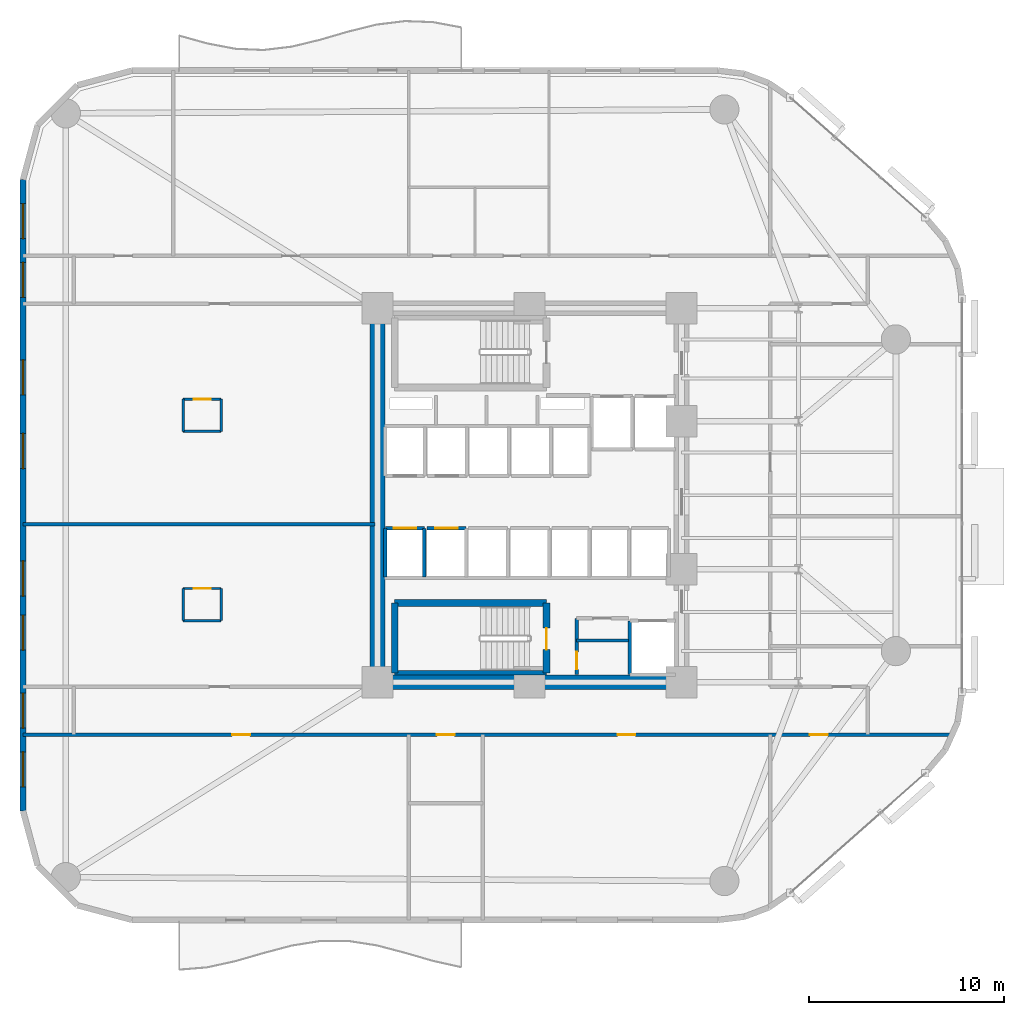
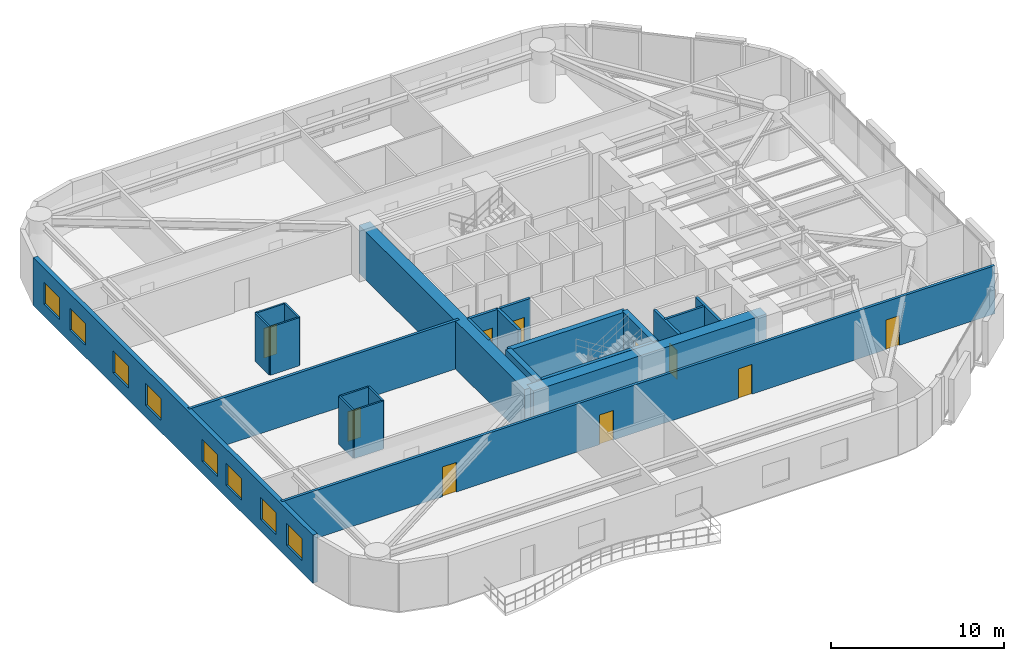
# One storey, part 10 of 16: 24 walls, 10 doors, 8 windows, 18 openings.
"""IFC4 building model written with IfcOpenShell, lengths in metres."""

import ifcopenshell
import ifcopenshell.guid

model = None  # the IFC model being written
_history = None  # IfcOwnerHistory: only IFC2X3 demands one
_inside = {}  # id of a spatial element -> (the spatial element, [elements in it])
_under = {}  # id of a project, library or spatial element -> (it, [spatial elements below it])
_declared = {}  # id of a project -> (the project, [libraries it declares])
_typed = {}  # id of a type object -> (the type object, [elements of that type])
_made_of = {}  # id of a material, layer set ... -> (it, [elements and type objects made of it])


def new_model(schema):
    """Start an empty IFC model of exactly this schema.

    Asked for "IFC4X3", IfcOpenShell would pick the latest addendum, in which some entities
    have other attributes; the version numbers below select the first issue.
    IFC2X3 requires an IfcOwnerHistory on every rooted entity: one is made here for all.
    """
    global model, _history
    if schema == "IFC4X3":
        model = ifcopenshell.file(schema_version=(4, 3, 0, 0))
    else:
        model = ifcopenshell.file(schema=schema)
    _inside.clear()
    _under.clear()
    _declared.clear()
    _typed.clear()
    _made_of.clear()
    _history = None
    if model.schema == "IFC2X3":
        org = make("IfcOrganization", Name="unknown")
        user = make(
            "IfcPersonAndOrganization",
            ThePerson=make("IfcPerson", FamilyName="unknown"),
            TheOrganization=org,
        )
        app = make(
            "IfcApplication",
            ApplicationDeveloper=org,
            Version="unknown",
            ApplicationFullName="unknown",
            ApplicationIdentifier="unknown",
        )
        _history = make(
            "IfcOwnerHistory",
            OwningUser=user,
            OwningApplication=app,
            ChangeAction="ADDED",
            CreationDate=0,
        )
    return model


def make(cls, **values):
    """One entity of the class cls with the attributes given. An attribute that is None is left unset."""
    return model.create_entity(
        cls, **{name: value for name, value in values.items() if value is not None}
    )


def rooted(cls, **values):
    """An entity with a GlobalId (a new one), such as an element, a storey or a relation."""
    return make(cls, GlobalId=ifcopenshell.guid.new(), OwnerHistory=_history, **values)


def si_unit(unit_type, name, prefix=None):
    """IfcSIUnit, for example si_unit("LENGTHUNIT", "METRE", prefix="MILLI")."""
    return make("IfcSIUnit", UnitType=unit_type, Prefix=prefix, Name=name)


def assignment(units):
    """IfcUnitAssignment: the units of a project."""
    return None if units is None else make("IfcUnitAssignment", Units=units)


def point(xyz):
    """IfcCartesianPoint."""
    return None if xyz is None else make("IfcCartesianPoint", Coordinates=xyz)


def direction(xyz):
    """IfcDirection."""
    return None if xyz is None else make("IfcDirection", DirectionRatios=xyz)


def frame(location, z_axis=None, x_axis=None):
    """IfcAxis2Placement3D, a coordinate frame: its origin and axes. An axis left out is left unset."""
    return make(
        "IfcAxis2Placement3D",
        Location=point(location),
        Axis=direction(z_axis),
        RefDirection=direction(x_axis),
    )


def frame_2d(location, x_axis=None):
    """IfcAxis2Placement2D, a coordinate frame in the plane: its origin and x axis."""
    return make(
        "IfcAxis2Placement2D", Location=point(location), RefDirection=direction(x_axis)
    )


def origin():
    """The frame at (0, 0, 0) with its axes left unset."""
    return frame((0.0, 0.0, 0.0))


def place(relative_to, where):
    """IfcLocalPlacement: puts the frame where relative to a parent placement (None: the world)."""
    return make(
        "IfcLocalPlacement", PlacementRelTo=relative_to, RelativePlacement=where
    )


def context(
    kind, dimensions, precision=None, world=None, true_north=None, identifier=None
):
    """IfcGeometricRepresentationContext, for example the 3D "Model" context."""
    return make(
        "IfcGeometricRepresentationContext",
        ContextIdentifier=identifier,
        ContextType=kind,
        CoordinateSpaceDimension=dimensions,
        Precision=precision,
        WorldCoordinateSystem=world,
        TrueNorth=true_north,
    )


def subcontext(parent, identifier, kind, view, scale=None):
    """IfcGeometricRepresentationSubContext, for example "Body" below "Model"."""
    return make(
        "IfcGeometricRepresentationSubContext",
        ContextIdentifier=identifier,
        ContextType=kind,
        ParentContext=parent,
        TargetScale=scale,
        TargetView=view,
    )


def project(units=None, contexts=None):
    """IfcProject with its units and contexts."""
    return rooted(
        "IfcProject",
        Name="project",
        RepresentationContexts=contexts,
        UnitsInContext=assignment(units),
    )


def spatial(cls, under=None, at=None, **own):
    """A site, building, storey or space (cls), placed at a placement, below another one or the project."""
    s = rooted(cls, ObjectPlacement=at, **own)
    if under is not None:
        _under.setdefault(under.id(), (under, []))[1].append(s)
    return s


def profile(cls, at=None, kind="AREA", **sizes):
    """A parametric profile (cls). Its sizes go by their IFC names, for example OverallWidth=200.0."""
    return make(cls, ProfileType=kind, Position=at, **sizes)


def rectangle(**sizes):
    """IfcRectangleProfileDef."""
    return profile("IfcRectangleProfileDef", **sizes)


def extrude(swept, where, along, depth):
    """IfcExtrudedAreaSolid: the profile swept, set in the frame where, extruded along a direction by depth."""
    return make(
        "IfcExtrudedAreaSolid",
        SweptArea=swept,
        Position=where,
        ExtrudedDirection=direction(along),
        Depth=depth,
    )


def shape(context_of_items, identifier, shape_type, items):
    """IfcShapeRepresentation: the items that make up one representation, for example the "Body"."""
    return make(
        "IfcShapeRepresentation",
        ContextOfItems=context_of_items,
        RepresentationIdentifier=identifier,
        RepresentationType=shape_type,
        Items=items,
    )


def material(Name=None, Category=None):
    """IfcMaterial."""
    return make("IfcMaterial", Name=Name, Category=Category)


def layer(
    of_material, thickness, ventilated=None, Name=None, Category=None, Priority=None
):
    """IfcMaterialLayer: one layer of a wall or slab, of a material (None: an air gap)."""
    return make(
        "IfcMaterialLayer",
        Material=of_material,
        LayerThickness=thickness,
        IsVentilated=ventilated,
        Name=Name,
        Category=Category,
        Priority=Priority,
    )


def layer_set(layers, Name=None):
    """IfcMaterialLayerSet."""
    return make("IfcMaterialLayerSet", MaterialLayers=layers, LayerSetName=Name)


def made_of(thing, what):
    """Note that an element or type object is made of a material, layer set ...; save() writes the relation."""
    if what is not None:
        _made_of.setdefault(what.id(), (what, []))[1].append(thing)
    return thing


def type_object(cls, material=None, **own):
    """A type object (cls), such as IfcWallType, which elements share."""
    return made_of(rooted(cls, **own), material)


def element(
    cls,
    number,
    at=None,
    inside=None,
    cuts=None,
    type_object=None,
    material=None,
    context=None,
    identifier="Body",
    shape_type=None,
    held_by="IfcProductDefinitionShape",
    body=None,
    shapes=None,
    **own,
):
    """One element of the class cls, such as IfcWall. Its Tag is "e" and its number.

    at: its placement. inside: the storey or other place that contains it. cuts: it is an
    opening in that element (IfcRelVoidsElement). A single representation is given by context,
    identifier, shape_type and body (its items); several are given by shapes. held_by: the class
    of the entity that holds the representations. save() writes the other relations.
    """
    e = rooted(cls, Tag="e%d" % number, ObjectPlacement=at, **own)
    if body is not None:
        shapes = [shape(context, identifier, shape_type, body)]
    if shapes is not None:
        e.Representation = make(held_by, Representations=shapes)
    if inside is not None:
        _inside.setdefault(inside.id(), (inside, []))[1].append(e)
    if cuts is not None:
        rooted(
            "IfcRelVoidsElement", RelatingBuildingElement=cuts, RelatedOpeningElement=e
        )
    if type_object is not None:
        _typed.setdefault(type_object.id(), (type_object, []))[1].append(e)
    return made_of(e, material)


def fill(opening, filler):
    """IfcRelFillsElement: the door or window that sits in an opening."""
    return rooted(
        "IfcRelFillsElement",
        RelatingOpeningElement=opening,
        RelatedBuildingElement=filler,
    )


def aggregate(whole, parts):
    """IfcRelAggregates: a whole, such as a stair, and the parts it consists of."""
    return rooted("IfcRelAggregates", RelatingObject=whole, RelatedObjects=parts)


def save(model, path):
    """Write the relations noted so far, then the file.

    IfcRelAggregates (storeys below a building ...), IfcRelContainedInSpatialStructure (elements
    in a storey), IfcRelDefinesByType, IfcRelAssociatesMaterial and IfcRelDeclares: one each for
    every whole, place, type object, material and project.
    """
    for whole, parts in _under.values():
        aggregate(whole, parts)
    for where, things in _inside.values():
        rooted(
            "IfcRelContainedInSpatialStructure",
            RelatedElements=things,
            RelatingStructure=where,
        )
    for kind, things in _typed.values():
        rooted("IfcRelDefinesByType", RelatedObjects=things, RelatingType=kind)
    for what, things in _made_of.values():
        rooted("IfcRelAssociatesMaterial", RelatedObjects=things, RelatingMaterial=what)
    for by, libraries in _declared.values():
        rooted("IfcRelDeclares", RelatingContext=by, RelatedDefinitions=libraries)
    model.write(path)


model = new_model("IFC4")

# Units and contexts
model_context = context("Model", 3, precision=1e-05, world=origin(), true_north=direction((0.0, 1.0)))
body_context = subcontext(model_context, "Body", "Model", "MODEL_VIEW")
ifc_project = project(units=[si_unit("LENGTHUNIT", "METRE"), si_unit("AREAUNIT", "SQUARE_METRE"), si_unit("VOLUMEUNIT", "CUBIC_METRE"), si_unit("PLANEANGLEUNIT", "RADIAN"), si_unit("MASSUNIT", "GRAM", prefix="KILO")], contexts=[model_context])

# Site, building, storey
site_placement = place(None, origin())
site = spatial("IfcSite", under=ifc_project, at=site_placement, CompositionType="ELEMENT")
building_placement = place(site_placement, origin())
building = spatial("IfcBuilding", under=site, at=building_placement, Name="An Khanh Terracotta Commons", CompositionType="ELEMENT")
storey_placement = place(building_placement, frame((0.0, 0.0, 39.60009765625)))
storey = spatial("IfcBuildingStorey", under=building, at=storey_placement, Name="L10", CompositionType="ELEMENT", Elevation=39.60009765625)

# Walls
ifc_material_1 = material(Name="Concrete C70/85", Category="concrete")
ifc_layer_1 = layer(ifc_material_1, 0.75, Name="Concrete C70/85")
ifc_layer_set_1 = layer_set([ifc_layer_1], Name="Concrete C70/85")
wall_type_1 = type_object("IfcWallType", Name="WALL-CORE-750", PredefinedType="SHEAR", material=ifc_layer_set_1)
wall_1_placement = place(storey_placement, frame((21.60009765625, 14.39990234375, 0.0), z_axis=(0.0, 0.0, 1.0), x_axis=(0.0, 1.0, 0.0)))
element("IfcWall", 1, at=wall_1_placement, inside=storey, type_object=wall_type_1, Name="L10 Core Wall CWALL-L10-W", PredefinedType="SHEAR", context=body_context, shape_type="SweptSolid", body=[
    extrude(rectangle(XDim=19.2001953125, YDim=0.75, at=frame_2d((9.60009765625, 0.0))), origin(), (0.0, 0.0, 1.0), 3.39990234375),
])
wall_2_placement = place(storey_placement, frame((37.199951171875, 14.39990234375, 0.0), z_axis=(0.0, 0.0, 1.0), x_axis=(-1.0, 0.0, 0.0)))
element("IfcWall", 2, at=wall_2_placement, inside=storey, type_object=wall_type_1, Name="L10 Core Wall CWALL-L10-S", PredefinedType="SHEAR", context=body_context, shape_type="SweptSolid", body=[
    extrude(rectangle(XDim=15.599853515625, YDim=0.75, at=frame_2d((7.7998046875, 0.0))), origin(), (0.0, 0.0, 1.0), 3.39990234375),
])

# Wall, opening, door
ifc_material_2 = material(Name="Fire-Rated Gypsum Board on Steel Stud", Category="steel")
ifc_layer_2 = layer(ifc_material_2, 0.179931640625, Name="Fire-Rated Gypsum Board on Steel Stud")
ifc_layer_set_2 = layer_set([ifc_layer_2], Name="Fire-Rated Gypsum Board on Steel Stud")
wall_type_2 = type_object("IfcWallType", Name="WALL-CORR-180", PredefinedType="PARTITIONING", material=ifc_layer_set_2)
wall_3_placement = place(storey_placement, frame((31.820068359375, 14.800048828125, 0.0), z_axis=(0.0, 0.0, 1.0), x_axis=(0.0, 1.0, 0.0)))
wall_3 = element("IfcWall", 3, at=wall_3_placement, inside=storey, type_object=wall_type_2, Name="L10 Core Wall SSVCW-L10-W", PredefinedType="PARTITIONING", context=body_context, shape_type="SweptSolid", body=[
    extrude(rectangle(XDim=2.8798828125, YDim=0.179931640625, at=frame_2d((1.43994140625, 0.0))), origin(), (0.0, 0.0, 1.0), 3.39990234375),
])
opening_1_placement = place(wall_3_placement, frame((0.260009765625, 0.0, 0.0)))
opening_1 = element("IfcOpeningElement", 4, at=opening_1_placement, cuts=wall_3, Name="Opening D-SV", PredefinedType="OPENING", context=body_context, shape_type="SweptSolid", body=[
    extrude(rectangle(XDim=0.89990234375, YDim=2.050048828125, at=frame_2d((0.449951171875, 1.02490234375))), frame((0.0, 0.099853515625, 0.0), z_axis=(0.0, -1.0, 0.0), x_axis=(1.0, 0.0, 0.0)), (0.0, 0.0, 1.0), 0.199951171875),
])
ifc_material_3 = material(Name="Fire-Rated Powder-Coated Steel Door", Category="steel")
door_type_1 = type_object("IfcDoorType", Name="DOOR-SERV-900", OperationType="NOTDEFINED", PredefinedType="DOOR", material=ifc_material_3)
door_1_placement = place(opening_1_placement, origin())
door_1 = element("IfcDoor", 5, at=door_1_placement, inside=storey, type_object=door_type_1, Name="L10 Telecoms BMS Cupboard Door", OperationType="SINGLE_SWING_LEFT", OverallHeight=2.050048828125, OverallWidth=0.89990234375, PredefinedType="DOOR", context=body_context, shape_type="SweptSolid", body=[
    extrude(rectangle(XDim=0.89990234375, YDim=2.050048828125, at=frame_2d((0.449951171875, 1.02490234375))), frame((0.0, 0.02490234375, 0.0), z_axis=(0.0, -1.0, 0.0), x_axis=(1.0, 0.0, 0.0)), (0.0, 0.0, 1.0), 0.050048828125),
])
fill(opening_1, door_1)

# Wall
wall_4_placement = place(storey_placement, frame((34.550048828125, 17.550048828125, 0.0), z_axis=(0.0, 0.0, 1.0), x_axis=(0.0, -1.0, 0.0)))
element("IfcWall", 6, at=wall_4_placement, inside=storey, type_object=wall_type_2, Name="L10 Core Wall LSH-L10-SVL-01-W", PredefinedType="PARTITIONING", context=body_context, shape_type="SweptSolid", body=[
    extrude(rectangle(XDim=2.75, YDim=0.179931640625, at=frame_2d((1.375, 0.0))), origin(), (0.0, 0.0, 1.0), 3.39990234375),
])

# Wall, opening, door
wall_5_placement = place(storey_placement, frame((22.0, 22.300048828125, 0.0), z_axis=(0.0, 0.0, 1.0), x_axis=(1.0, 0.0, 0.0)))
wall_5 = element("IfcWall", 7, at=wall_5_placement, inside=storey, type_object=wall_type_2, Name="L10 Core Wall LSH-L10-PL-L3-N", PredefinedType="PARTITIONING", context=body_context, shape_type="SweptSolid", body=[
    extrude(rectangle(XDim=2.0, YDim=0.179931640625, at=frame_2d((1.0, 0.0))), origin(), (0.0, 0.0, 1.0), 3.39990234375),
])
opening_2_placement = place(wall_5_placement, frame((0.425048828125, 0.0, 0.0)))
opening_2 = element("IfcOpeningElement", 8, at=opening_2_placement, cuts=wall_5, Name="Opening LD-PL-L3-L10", PredefinedType="OPENING", context=body_context, shape_type="SweptSolid", body=[
    extrude(rectangle(XDim=1.14990234375, YDim=2.199951171875, at=frame_2d((0.574951171875, 1.10009765625))), frame((0.0, 0.099853515625, 0.0), z_axis=(0.0, -1.0, 0.0), x_axis=(1.0, 0.0, 0.0)), (0.0, 0.0, 1.0), 0.199951171875),
])
ifc_material_4 = material(Name="Brushed Stainless Steel Passenger Landing Door", Category="steel")
door_type_2 = type_object("IfcDoorType", Name="DOOR-LD-PAX-1150", OperationType="NOTDEFINED", PredefinedType="DOOR", material=ifc_material_4)
door_2_placement = place(opening_2_placement, origin())
door_2 = element("IfcDoor", 9, at=door_2_placement, inside=storey, type_object=door_type_2, Name="L10 Lift PL-L3 Sliding Landing Door", OperationType="DOUBLE_DOOR_SLIDING", OverallHeight=2.199951171875, OverallWidth=1.14990234375, PredefinedType="DOOR", context=body_context, shape_type="SweptSolid", body=[
    extrude(rectangle(XDim=1.14990234375, YDim=2.199951171875, at=frame_2d((0.574951171875, 1.10009765625))), frame((0.0, 0.02490234375, 0.0), z_axis=(0.0, -1.0, 0.0), x_axis=(1.0, 0.0, 0.0)), (0.0, 0.0, 1.0), 0.050048828125),
])
fill(opening_2, door_2)

# Walls
for number, where, z_axis, x_axis, name in (
    (10, (24.0, 19.800048828125, 0.0), (0.0, 0.0, 1.0), (0.0, 1.0, 0.0), "L10 Core Wall LSH-L10-PL-L3-E"),
    (11, (22.0, 22.300048828125, 0.0), (0.0, 0.0, 1.0), (0.0, -1.0, 0.0), "L10 Core Wall LSH-L10-PL-L3-W"),
):
    element("IfcWall", number, at=place(storey_placement, frame(where, z_axis=z_axis, x_axis=x_axis)), inside=storey, type_object=wall_type_2, Name=name, PredefinedType="PARTITIONING", context=body_context, shape_type="SweptSolid", body=[
        extrude(rectangle(XDim=2.5, YDim=0.179931640625, at=frame_2d((1.25, 0.0))), origin(), (0.0, 0.0, 1.0), 3.39990234375),
    ])

# Wall, opening, door
wall_6_placement = place(storey_placement, frame((24.139892578125, 22.300048828125, 0.0), z_axis=(0.0, 0.0, 1.0), x_axis=(1.0, 0.0, 0.0)))
wall_6 = element("IfcWall", 12, at=wall_6_placement, inside=storey, type_object=wall_type_2, Name="L10 Core Wall LSH-L10-PL-L4-N", PredefinedType="PARTITIONING", context=body_context, shape_type="SweptSolid", body=[
    extrude(rectangle(XDim=2.0, YDim=0.179931640625, at=frame_2d((1.0, 0.0))), origin(), (0.0, 0.0, 1.0), 3.39990234375),
])
opening_3_placement = place(wall_6_placement, frame((0.425048828125, 0.0, 0.0)))
opening_3 = element("IfcOpeningElement", 13, at=opening_3_placement, cuts=wall_6, Name="Opening LD-PL-L4-L10", PredefinedType="OPENING", context=body_context, shape_type="SweptSolid", body=[
    extrude(rectangle(XDim=1.14990234375, YDim=2.199951171875, at=frame_2d((0.574951171875, 1.10009765625))), frame((0.0, 0.099853515625, 0.0), z_axis=(0.0, -1.0, 0.0), x_axis=(1.0, 0.0, 0.0)), (0.0, 0.0, 1.0), 0.199951171875),
])
door_3_placement = place(opening_3_placement, origin())
door_3 = element("IfcDoor", 14, at=door_3_placement, inside=storey, type_object=door_type_2, Name="L10 Lift PL-L4 Sliding Landing Door", OperationType="DOUBLE_DOOR_SLIDING", OverallHeight=2.199951171875, OverallWidth=1.14990234375, PredefinedType="DOOR", context=body_context, shape_type="SweptSolid", body=[
    extrude(rectangle(XDim=1.14990234375, YDim=2.199951171875, at=frame_2d((0.574951171875, 1.10009765625))), frame((0.0, 0.02490234375, 0.0), z_axis=(0.0, -1.0, 0.0), x_axis=(1.0, 0.0, 0.0)), (0.0, 0.0, 1.0), 0.050048828125),
])
fill(opening_3, door_3)

# Wall, openings, doors
wall_7_placement = place(storey_placement, frame((3.39990234375, 11.719970703125, 0.0), z_axis=(0.0, 0.0, 1.0), x_axis=(1.0, 0.0, 0.0)))
wall_7 = element("IfcWall", 15, at=wall_7_placement, inside=storey, type_object=wall_type_2, Name="L10 Interior Partition IW-L10-E002", PredefinedType="PARTITIONING", context=body_context, shape_type="SweptSolid", body=[
    extrude(rectangle(XDim=47.689208984375, YDim=0.179931640625, at=frame_2d((23.8447265625, 0.0))), origin(), (0.0, 0.0, 1.0), 3.39990234375),
])
opening_4_placement = place(wall_7_placement, frame((21.239990234375, 0.0, 0.0)))
opening_4 = element("IfcOpeningElement", 16, at=opening_4_placement, cuts=wall_7, Name="Opening D-RM", PredefinedType="OPENING", context=body_context, shape_type="SweptSolid", body=[
    extrude(rectangle(XDim=0.919921875, YDim=2.10009765625, at=frame_2d((0.4599609375, 1.050048828125))), frame((0.0, 0.099853515625, 0.0), z_axis=(0.0, -1.0, 0.0), x_axis=(1.0, 0.0, 0.0)), (0.0, 0.0, 1.0), 0.199951171875),
])
opening_5_placement = place(wall_7_placement, frame((40.389892578125, 0.0, 0.0)))
opening_5 = element("IfcOpeningElement", 17, at=opening_5_placement, cuts=wall_7, Name="Opening D-RM", PredefinedType="OPENING", context=body_context, shape_type="SweptSolid", body=[
    extrude(rectangle(XDim=0.919921875, YDim=2.10009765625, at=frame_2d((0.4599609375, 1.050048828125))), frame((0.0, 0.099853515625, 0.0), z_axis=(0.0, -1.0, 0.0), x_axis=(1.0, 0.0, 0.0)), (0.0, 0.0, 1.0), 0.199951171875),
])
opening_6_placement = place(wall_7_placement, frame((10.739990234375, 0.0, 0.0)))
opening_6 = element("IfcOpeningElement", 18, at=opening_6_placement, cuts=wall_7, Name="Opening D-RM", PredefinedType="OPENING", context=body_context, shape_type="SweptSolid", body=[
    extrude(rectangle(XDim=0.919921875, YDim=2.10009765625, at=frame_2d((0.4599609375, 1.050048828125))), frame((0.0, 0.099853515625, 0.0), z_axis=(0.0, -1.0, 0.0), x_axis=(1.0, 0.0, 0.0)), (0.0, 0.0, 1.0), 0.199951171875),
])
opening_7_placement = place(wall_7_placement, frame((30.514892578125, 0.0, 0.0)))
opening_7 = element("IfcOpeningElement", 19, at=opening_7_placement, cuts=wall_7, Name="Opening D-RM", PredefinedType="OPENING", context=body_context, shape_type="SweptSolid", body=[
    extrude(rectangle(XDim=0.919921875, YDim=2.10009765625, at=frame_2d((0.4599609375, 1.050048828125))), frame((0.0, 0.099853515625, 0.0), z_axis=(0.0, -1.0, 0.0), x_axis=(1.0, 0.0, 0.0)), (0.0, 0.0, 1.0), 0.199951171875),
])
ifc_material_5 = material(Name="Engineered Hardwood Timber Leaf", Category="wood")
door_type_3 = type_object("IfcDoorType", Name="DOOR-INT-920", OperationType="NOTDEFINED", PredefinedType="DOOR", material=ifc_material_5)
door_4_placement = place(opening_4_placement, origin())
door_4 = element("IfcDoor", 20, at=door_4_placement, inside=storey, type_object=door_type_3, Name="L10 HKP Housekeeping Linen Store Door", OperationType="SINGLE_SWING_RIGHT", OverallHeight=2.10009765625, OverallWidth=0.919921875, PredefinedType="DOOR", context=body_context, shape_type="SweptSolid", body=[
    extrude(rectangle(XDim=0.919921875, YDim=2.10009765625, at=frame_2d((0.4599609375, 1.050048828125))), frame((0.0, 0.02490234375, 0.0), z_axis=(0.0, -1.0, 0.0), x_axis=(1.0, 0.0, 0.0)), (0.0, 0.0, 1.0), 0.050048828125),
])
fill(opening_4, door_4)
door_5_placement = place(opening_5_placement, origin())
door_5 = element("IfcDoor", 21, at=door_5_placement, inside=storey, type_object=door_type_3, Name="L10 FANS Quiet Focus Office Door", OperationType="SINGLE_SWING_RIGHT", OverallHeight=2.10009765625, OverallWidth=0.919921875, PredefinedType="DOOR", context=body_context, shape_type="SweptSolid", body=[
    extrude(rectangle(XDim=0.919921875, YDim=2.10009765625, at=frame_2d((0.4599609375, 1.050048828125))), frame((0.0, 0.02490234375, 0.0), z_axis=(0.0, -1.0, 0.0), x_axis=(1.0, 0.0, 0.0)), (0.0, 0.0, 1.0), 0.050048828125),
])
fill(opening_5, door_5)
door_6_placement = place(opening_6_placement, origin())
door_6 = element("IfcDoor", 22, at=door_6_placement, inside=storey, type_object=door_type_3, Name="L10 SW1 Communal Kitchen and Dining Door", OperationType="SINGLE_SWING_RIGHT", OverallHeight=2.10009765625, OverallWidth=0.919921875, PredefinedType="DOOR", context=body_context, shape_type="SweptSolid", body=[
    extrude(rectangle(XDim=0.919921875, YDim=2.10009765625, at=frame_2d((0.4599609375, 1.050048828125))), frame((0.0, 0.02490234375, 0.0), z_axis=(0.0, -1.0, 0.0), x_axis=(1.0, 0.0, 0.0)), (0.0, 0.0, 1.0), 0.050048828125),
])
fill(opening_6, door_6)
door_7_placement = place(opening_7_placement, origin())
door_7 = element("IfcDoor", 23, at=door_7_placement, inside=storey, type_object=door_type_3, Name="L10 SWE Communal Kitchen and Dining Door", OperationType="SINGLE_SWING_LEFT", OverallHeight=2.10009765625, OverallWidth=0.919921875, PredefinedType="DOOR", context=body_context, shape_type="SweptSolid", body=[
    extrude(rectangle(XDim=0.919921875, YDim=2.10009765625, at=frame_2d((0.4599609375, 1.050048828125))), frame((0.0, 0.02490234375, 0.0), z_axis=(0.0, -1.0, 0.0), x_axis=(1.0, 0.0, 0.0)), (0.0, 0.0, 1.0), 0.050048828125),
])
fill(opening_7, door_7)

# Wall
wall_8_placement = place(storey_placement, frame((3.39990234375, 22.5, 0.0), z_axis=(0.0, 0.0, 1.0), x_axis=(1.0, 0.0, 0.0)))
element("IfcWall", 24, at=wall_8_placement, inside=storey, type_object=wall_type_2, Name="L10 Interior Partition IW-L10-E006", PredefinedType="PARTITIONING", context=body_context, shape_type="SweptSolid", body=[
    extrude(rectangle(XDim=18.080078125, YDim=0.179931640625, at=frame_2d((9.0400390625, 0.0))), origin(), (0.0, 0.0, 1.0), 3.39990234375),
])

# Wall, openings, windows
ifc_material_6 = material(Name="Precast concrete C40/50", Category="concrete")
ifc_layer_3 = layer(ifc_material_6, 0.300048828125, Name="Precast concrete C40/50")
ifc_layer_set_3 = layer_set([ifc_layer_3], Name="Precast concrete C40/50")
wall_type_3 = type_object("IfcWallType", Name="WALL-EXT-300", PredefinedType="SOLIDWALL", material=ifc_layer_set_3)
wall_9_placement = place(storey_placement, frame((3.39990234375, 40.199951171875, 0.0), z_axis=(0.0, 0.0, 1.0), x_axis=(0.0, -1.0, 0.0)))
wall_9 = element("IfcWall", 25, at=wall_9_placement, inside=storey, type_object=wall_type_3, Name="L10 Insulated Terracotta Exterior Wall 24", PredefinedType="SOLIDWALL", context=body_context, shape_type="SweptSolid", body=[
    extrude(rectangle(XDim=32.39990234375, YDim=0.300048828125, at=frame_2d((16.199951171875, 0.0))), origin(), (0.0, 0.0, 1.0), 3.39990234375),
])
opening_8_placement = place(wall_9_placement, frame((1.235107421875, 0.0, 0.85009765625)))
opening_8 = element("IfcOpeningElement", 26, at=opening_8_placement, cuts=wall_9, Name="Opening W-01", PredefinedType="OPENING", context=body_context, shape_type="SweptSolid", body=[
    extrude(rectangle(XDim=1.800048828125, YDim=1.550048828125, at=frame_2d((0.89990234375, 0.77490234375))), frame((0.0, 0.159912109375, 0.0), z_axis=(0.0, -1.0, 0.0), x_axis=(1.0, 0.0, 0.0)), (0.0, 0.0, 1.0), 0.320068359375),
])
opening_9_placement = place(wall_9_placement, frame((4.25, 0.0, 0.85009765625)))
opening_9 = element("IfcOpeningElement", 27, at=opening_9_placement, cuts=wall_9, Name="Opening W-01", PredefinedType="OPENING", context=body_context, shape_type="SweptSolid", body=[
    extrude(rectangle(XDim=1.800048828125, YDim=1.550048828125, at=frame_2d((0.89990234375, 0.77490234375))), frame((0.0, 0.159912109375, 0.0), z_axis=(0.0, -1.0, 0.0), x_axis=(1.0, 0.0, 0.0)), (0.0, 0.0, 1.0), 0.320068359375),
])
opening_10_placement = place(wall_9_placement, frame((9.2529296875, 0.0, 0.85009765625)))
opening_10 = element("IfcOpeningElement", 28, at=opening_10_placement, cuts=wall_9, Name="Opening W-01", PredefinedType="OPENING", context=body_context, shape_type="SweptSolid", body=[
    extrude(rectangle(XDim=1.800048828125, YDim=1.550048828125, at=frame_2d((0.89990234375, 0.77490234375))), frame((0.0, 0.159912109375, 0.0), z_axis=(0.0, -1.0, 0.0), x_axis=(1.0, 0.0, 0.0)), (0.0, 0.0, 1.0), 0.320068359375),
])
opening_11_placement = place(wall_9_placement, frame((13.027099609375, 0.0, 0.85009765625)))
opening_11 = element("IfcOpeningElement", 29, at=opening_11_placement, cuts=wall_9, Name="Opening W-01", PredefinedType="OPENING", context=body_context, shape_type="SweptSolid", body=[
    extrude(rectangle(XDim=1.800048828125, YDim=1.550048828125, at=frame_2d((0.89990234375, 0.77490234375))), frame((0.0, 0.159912109375, 0.0), z_axis=(0.0, -1.0, 0.0), x_axis=(1.0, 0.0, 0.0)), (0.0, 0.0, 1.0), 0.320068359375),
])
opening_12_placement = place(wall_9_placement, frame((19.572998046875, 0.0, 0.85009765625)))
opening_12 = element("IfcOpeningElement", 30, at=opening_12_placement, cuts=wall_9, Name="Opening W-01", PredefinedType="OPENING", context=body_context, shape_type="SweptSolid", body=[
    extrude(rectangle(XDim=1.800048828125, YDim=1.550048828125, at=frame_2d((0.89990234375, 0.77490234375))), frame((0.0, 0.159912109375, 0.0), z_axis=(0.0, -1.0, 0.0), x_axis=(1.0, 0.0, 0.0)), (0.0, 0.0, 1.0), 0.320068359375),
])
opening_13_placement = place(wall_9_placement, frame((22.346923828125, 0.0, 0.85009765625)))
opening_13 = element("IfcOpeningElement", 31, at=opening_13_placement, cuts=wall_9, Name="Opening W-01", PredefinedType="OPENING", context=body_context, shape_type="SweptSolid", body=[
    extrude(rectangle(XDim=1.800048828125, YDim=1.550048828125, at=frame_2d((0.89990234375, 0.77490234375))), frame((0.0, 0.159912109375, 0.0), z_axis=(0.0, -1.0, 0.0), x_axis=(1.0, 0.0, 0.0)), (0.0, 0.0, 1.0), 0.320068359375),
])
opening_14_placement = place(wall_9_placement, frame((26.35009765625, 0.0, 0.85009765625)))
opening_14 = element("IfcOpeningElement", 32, at=opening_14_placement, cuts=wall_9, Name="Opening W-01", PredefinedType="OPENING", context=body_context, shape_type="SweptSolid", body=[
    extrude(rectangle(XDim=1.800048828125, YDim=1.550048828125, at=frame_2d((0.89990234375, 0.77490234375))), frame((0.0, 0.159912109375, 0.0), z_axis=(0.0, -1.0, 0.0), x_axis=(1.0, 0.0, 0.0)), (0.0, 0.0, 1.0), 0.320068359375),
])
opening_15_placement = place(wall_9_placement, frame((29.364990234375, 0.0, 0.85009765625)))
opening_15 = element("IfcOpeningElement", 33, at=opening_15_placement, cuts=wall_9, Name="Opening W-01", PredefinedType="OPENING", context=body_context, shape_type="SweptSolid", body=[
    extrude(rectangle(XDim=1.800048828125, YDim=1.550048828125, at=frame_2d((0.89990234375, 0.77490234375))), frame((0.0, 0.159912109375, 0.0), z_axis=(0.0, -1.0, 0.0), x_axis=(1.0, 0.0, 0.0)), (0.0, 0.0, 1.0), 0.320068359375),
])
ifc_material_7 = material(Name="Thermally Broken Aluminium and Low-E Glass", Category="aluminium")
window_type = type_object("IfcWindowType", Name="WIN-Z1-1800x1550", PartitioningType="DOUBLE_PANEL_VERTICAL", PredefinedType="WINDOW", material=ifc_material_7)
window_1_placement = place(opening_8_placement, origin())
window_1 = element("IfcWindow", 34, at=window_1_placement, inside=storey, type_object=window_type, Name="L10 Operable Casement Window 24.1", OverallHeight=1.550048828125, OverallWidth=1.800048828125, PartitioningType="DOUBLE_PANEL_VERTICAL", PredefinedType="WINDOW", context=body_context, shape_type="SweptSolid", body=[
    extrude(rectangle(XDim=1.800048828125, YDim=1.550048828125, at=frame_2d((0.89990234375, 0.77490234375))), frame((0.0, 0.030029296875, 0.0), z_axis=(0.0, -1.0, 0.0), x_axis=(1.0, 0.0, 0.0)), (0.0, 0.0, 1.0), 0.06005859375),
])
fill(opening_8, window_1)
window_2_placement = place(opening_9_placement, origin())
window_2 = element("IfcWindow", 35, at=window_2_placement, inside=storey, type_object=window_type, Name="L10 Operable Casement Window 24.2", OverallHeight=1.550048828125, OverallWidth=1.800048828125, PartitioningType="DOUBLE_PANEL_VERTICAL", PredefinedType="WINDOW", context=body_context, shape_type="SweptSolid", body=[
    extrude(rectangle(XDim=1.800048828125, YDim=1.550048828125, at=frame_2d((0.89990234375, 0.77490234375))), frame((0.0, 0.030029296875, 0.0), z_axis=(0.0, -1.0, 0.0), x_axis=(1.0, 0.0, 0.0)), (0.0, 0.0, 1.0), 0.06005859375),
])
fill(opening_9, window_2)
window_3_placement = place(opening_10_placement, origin())
window_3 = element("IfcWindow", 36, at=window_3_placement, inside=storey, type_object=window_type, Name="L10 Operable Casement Window 24.3", OverallHeight=1.550048828125, OverallWidth=1.800048828125, PartitioningType="DOUBLE_PANEL_VERTICAL", PredefinedType="WINDOW", context=body_context, shape_type="SweptSolid", body=[
    extrude(rectangle(XDim=1.800048828125, YDim=1.550048828125, at=frame_2d((0.89990234375, 0.77490234375))), frame((0.0, 0.030029296875, 0.0), z_axis=(0.0, -1.0, 0.0), x_axis=(1.0, 0.0, 0.0)), (0.0, 0.0, 1.0), 0.06005859375),
])
fill(opening_10, window_3)
window_4_placement = place(opening_11_placement, origin())
window_4 = element("IfcWindow", 37, at=window_4_placement, inside=storey, type_object=window_type, Name="L10 Operable Casement Window 24.4", OverallHeight=1.550048828125, OverallWidth=1.800048828125, PartitioningType="DOUBLE_PANEL_VERTICAL", PredefinedType="WINDOW", context=body_context, shape_type="SweptSolid", body=[
    extrude(rectangle(XDim=1.800048828125, YDim=1.550048828125, at=frame_2d((0.89990234375, 0.77490234375))), frame((0.0, 0.030029296875, 0.0), z_axis=(0.0, -1.0, 0.0), x_axis=(1.0, 0.0, 0.0)), (0.0, 0.0, 1.0), 0.06005859375),
])
fill(opening_11, window_4)
window_5_placement = place(opening_12_placement, origin())
window_5 = element("IfcWindow", 38, at=window_5_placement, inside=storey, type_object=window_type, Name="L10 Operable Casement Window 24.5", OverallHeight=1.550048828125, OverallWidth=1.800048828125, PartitioningType="DOUBLE_PANEL_VERTICAL", PredefinedType="WINDOW", context=body_context, shape_type="SweptSolid", body=[
    extrude(rectangle(XDim=1.800048828125, YDim=1.550048828125, at=frame_2d((0.89990234375, 0.77490234375))), frame((0.0, 0.030029296875, 0.0), z_axis=(0.0, -1.0, 0.0), x_axis=(1.0, 0.0, 0.0)), (0.0, 0.0, 1.0), 0.06005859375),
])
fill(opening_12, window_5)
window_6_placement = place(opening_13_placement, origin())
window_6 = element("IfcWindow", 39, at=window_6_placement, inside=storey, type_object=window_type, Name="L10 Operable Casement Window 24.6", OverallHeight=1.550048828125, OverallWidth=1.800048828125, PartitioningType="DOUBLE_PANEL_VERTICAL", PredefinedType="WINDOW", context=body_context, shape_type="SweptSolid", body=[
    extrude(rectangle(XDim=1.800048828125, YDim=1.550048828125, at=frame_2d((0.89990234375, 0.77490234375))), frame((0.0, 0.030029296875, 0.0), z_axis=(0.0, -1.0, 0.0), x_axis=(1.0, 0.0, 0.0)), (0.0, 0.0, 1.0), 0.06005859375),
])
fill(opening_13, window_6)
window_7_placement = place(opening_14_placement, origin())
window_7 = element("IfcWindow", 40, at=window_7_placement, inside=storey, type_object=window_type, Name="L10 Operable Casement Window 24.7", OverallHeight=1.550048828125, OverallWidth=1.800048828125, PartitioningType="DOUBLE_PANEL_VERTICAL", PredefinedType="WINDOW", context=body_context, shape_type="SweptSolid", body=[
    extrude(rectangle(XDim=1.800048828125, YDim=1.550048828125, at=frame_2d((0.89990234375, 0.77490234375))), frame((0.0, 0.030029296875, 0.0), z_axis=(0.0, -1.0, 0.0), x_axis=(1.0, 0.0, 0.0)), (0.0, 0.0, 1.0), 0.06005859375),
])
fill(opening_14, window_7)
window_8_placement = place(opening_15_placement, origin())
window_8 = element("IfcWindow", 41, at=window_8_placement, inside=storey, type_object=window_type, Name="L10 Operable Casement Window 24.8", OverallHeight=1.550048828125, OverallWidth=1.800048828125, PartitioningType="DOUBLE_PANEL_VERTICAL", PredefinedType="WINDOW", context=body_context, shape_type="SweptSolid", body=[
    extrude(rectangle(XDim=1.800048828125, YDim=1.550048828125, at=frame_2d((0.89990234375, 0.77490234375))), frame((0.0, 0.030029296875, 0.0), z_axis=(0.0, -1.0, 0.0), x_axis=(1.0, 0.0, 0.0)), (0.0, 0.0, 1.0), 0.06005859375),
])
fill(opening_15, window_8)

# Walls
ifc_material_8 = material(Name="Acoustic Gypsum Board Partition")
ifc_layer_4 = layer(ifc_material_8, 0.14990234375, Name="Acoustic Gypsum Board Partition")
ifc_layer_set_4 = layer_set([ifc_layer_4], Name="Acoustic Gypsum Board Partition")
wall_type_4 = type_object("IfcWallType", Name="WALL-PART-150", PredefinedType="PARTITIONING", material=ifc_layer_set_4)
wall_10_placement = place(storey_placement, frame((31.820068359375, 16.550048828125, 0.0), z_axis=(0.0, 0.0, 1.0), x_axis=(1.0, 0.0, 0.0)))
element("IfcWall", 42, at=wall_10_placement, inside=storey, type_object=wall_type_4, Name="L10 Core Wall SSVCW-L10-M", PredefinedType="PARTITIONING", context=body_context, shape_type="SweptSolid", body=[
    extrude(rectangle(XDim=2.659912109375, YDim=0.14990234375, at=frame_2d((1.330078125, 0.0))), origin(), (0.0, 0.0, 1.0), 3.39990234375),
])
ifc_material_9 = material(Name="Acoustic Double-Stud Gypsum and Mineral Wool")
ifc_layer_5 = layer(ifc_material_9, 0.219970703125, Name="Acoustic Double-Stud Gypsum and Mineral Wool")
ifc_layer_set_5 = layer_set([ifc_layer_5], Name="Acoustic Double-Stud Gypsum and Mineral Wool")
wall_type_5 = type_object("IfcWallType", Name="WALL-PARTY-220", PredefinedType="PARTITIONING", material=ifc_layer_set_5)
wall_11_placement = place(storey_placement, frame((22.47998046875, 14.889892578125, 0.0), z_axis=(0.0, 0.0, 1.0), x_axis=(1.0, 0.0, 0.0)))
element("IfcWall", 43, at=wall_11_placement, inside=storey, type_object=wall_type_5, Name="L10 Core Wall STW-L10-S-S", PredefinedType="PARTITIONING", context=body_context, shape_type="SweptSolid", body=[
    extrude(rectangle(XDim=7.7900390625, YDim=0.219970703125, at=frame_2d((3.89501953125, 0.0))), origin(), (0.0, 0.0, 1.0), 3.39990234375),
])
ifc_material_10 = material(Name="Concrete C50/60", Category="concrete")
ifc_layer_6 = layer(ifc_material_10, 0.35009765625, Name="Concrete C50/60")
ifc_layer_set_6 = layer_set([ifc_layer_6], Name="Concrete C50/60")
wall_type_6 = type_object("IfcWallType", Name="WALL-SHAFT-350", PredefinedType="SOLIDWALL", material=ifc_layer_set_6)
wall_12_placement = place(storey_placement, frame((22.47998046875, 18.469970703125, 0.0), z_axis=(0.0, 0.0, 1.0), x_axis=(1.0, 0.0, 0.0)))
element("IfcWall", 44, at=wall_12_placement, inside=storey, type_object=wall_type_6, Name="L10 Core Wall STW-L10-S-N", PredefinedType="SOLIDWALL", context=body_context, shape_type="SweptSolid", body=[
    extrude(rectangle(XDim=7.7900390625, YDim=0.35009765625, at=frame_2d((3.89501953125, 0.0))), origin(), (0.0, 0.0, 1.0), 3.39990234375),
])
wall_13_placement = place(storey_placement, frame((22.47998046875, 14.889892578125, 0.0), z_axis=(0.0, 0.0, 1.0), x_axis=(0.0, 1.0, 0.0)))
element("IfcWall", 45, at=wall_13_placement, inside=storey, type_object=wall_type_6, Name="L10 Core Wall STW-L10-S-W", PredefinedType="SOLIDWALL", context=body_context, shape_type="SweptSolid", body=[
    extrude(rectangle(XDim=3.580078125, YDim=0.35009765625, at=frame_2d((1.7900390625, 0.0))), origin(), (0.0, 0.0, 1.0), 3.39990234375),
])

# Wall, opening, door
wall_14_placement = place(storey_placement, frame((30.27001953125, 14.889892578125, 0.0), z_axis=(0.0, 0.0, 1.0), x_axis=(0.0, 1.0, 0.0)))
wall_14 = element("IfcWall", 46, at=wall_14_placement, inside=storey, type_object=wall_type_6, Name="L10 Core Wall STW-L10-S-E", PredefinedType="SOLIDWALL", context=body_context, shape_type="SweptSolid", body=[
    extrude(rectangle(XDim=3.580078125, YDim=0.35009765625, at=frame_2d((1.7900390625, 0.0))), origin(), (0.0, 0.0, 1.0), 3.39990234375),
])
opening_16_placement = place(wall_14_placement, frame((1.18994140625, 0.0, 0.0)))
opening_16 = element("IfcOpeningElement", 47, at=opening_16_placement, cuts=wall_14, Name="Opening D-ST", PredefinedType="OPENING", context=body_context, shape_type="SweptSolid", body=[
    extrude(rectangle(XDim=1.10009765625, YDim=2.14990234375, at=frame_2d((0.550048828125, 1.074951171875))), frame((0.0, 0.18505859375, 0.0), z_axis=(0.0, -1.0, 0.0), x_axis=(1.0, 0.0, 0.0)), (0.0, 0.0, 1.0), 0.3701171875),
])
ifc_material_11 = material(Name="Fire-Rated Steel Leaf and Frame", Category="steel")
door_type_4 = type_object("IfcDoorType", Name="DOOR-STAIR-1100", OperationType="NOTDEFINED", PredefinedType="DOOR", material=ifc_material_11)
door_8_placement = place(opening_16_placement, origin())
door_8 = element("IfcDoor", 48, at=door_8_placement, inside=storey, type_object=door_type_4, Name="L10 Stair ST-02 Fire Door", OperationType="SINGLE_SWING_LEFT", OverallHeight=2.14990234375, OverallWidth=1.10009765625, PredefinedType="DOOR", context=body_context, shape_type="SweptSolid", body=[
    extrude(rectangle(XDim=1.10009765625, YDim=2.14990234375, at=frame_2d((0.550048828125, 1.074951171875))), frame((0.0, 0.02490234375, 0.0), z_axis=(0.0, -1.0, 0.0), x_axis=(1.0, 0.0, 0.0)), (0.0, 0.0, 1.0), 0.050048828125),
])
fill(opening_16, door_8)

ifc_material_12 = material(Name="Moisture-Resistant Cement Board Partition")
ifc_layer_7 = layer(ifc_material_12, 0.1201171875, Name="Moisture-Resistant Cement Board Partition")
ifc_layer_set_7 = layer_set([ifc_layer_7], Name="Moisture-Resistant Cement Board Partition")
wall_type_7 = type_object("IfcWallType", Name="WALL-WET-120", PredefinedType="PARTITIONING", material=ifc_layer_set_7)
wall_15_placement = place(storey_placement, frame((11.625, 19.215087890625, 0.0), z_axis=(0.0, 0.0, 1.0), x_axis=(1.0, 0.0, 0.0)))
wall_15 = element("IfcWall", 49, at=wall_15_placement, inside=storey, type_object=wall_type_7, Name="L10 Interior Partition IW-L10-WW1-BN", PredefinedType="PARTITIONING", context=body_context, shape_type="SweptSolid", body=[
    extrude(rectangle(XDim=1.949951171875, YDim=0.1201171875, at=frame_2d((0.97509765625, 0.0))), origin(), (0.0, 0.0, 1.0), 3.39990234375),
])
opening_17_placement = place(wall_15_placement, frame((0.544921875, 0.0, 0.0)))
opening_17 = element("IfcOpeningElement", 50, at=opening_17_placement, cuts=wall_15, Name="Opening D-ENS", PredefinedType="OPENING", context=body_context, shape_type="SweptSolid", body=[
    extrude(rectangle(XDim=0.860107421875, YDim=2.10009765625, at=frame_2d((0.43017578125, 1.050048828125))), frame((0.0, 0.070068359375, 0.0), z_axis=(0.0, -1.0, 0.0), x_axis=(1.0, 0.0, 0.0)), (0.0, 0.0, 1.0), 0.14013671875),
])
ifc_material_13 = material(Name="Moisture-Resistant Hardwood Timber Leaf", Category="wood")
door_type_5 = type_object("IfcDoorType", Name="DOOR-BATH-860", OperationType="NOTDEFINED", PredefinedType="DOOR", material=ifc_material_13)
door_9_placement = place(opening_17_placement, origin())
door_9 = element("IfcDoor", 51, at=door_9_placement, inside=storey, type_object=door_type_5, Name="L10 Studio WW1 En-suite Door", OperationType="SINGLE_SWING_RIGHT", OverallHeight=2.10009765625, OverallWidth=0.860107421875, PredefinedType="DOOR", context=body_context, shape_type="SweptSolid", body=[
    extrude(rectangle(XDim=0.860107421875, YDim=2.10009765625, at=frame_2d((0.43017578125, 1.050048828125))), frame((0.0, 0.02490234375, 0.0), z_axis=(0.0, -1.0, 0.0), x_axis=(1.0, 0.0, 0.0)), (0.0, 0.0, 1.0), 0.050048828125),
])
fill(opening_17, door_9)

# Walls
wall_16_placement = place(storey_placement, frame((13.574951171875, 17.56494140625, 0.0), z_axis=(0.0, 0.0, 1.0), x_axis=(-1.0, 0.0, 0.0)))
element("IfcWall", 52, at=wall_16_placement, inside=storey, type_object=wall_type_7, Name="L10 Interior Partition IW-L10-WW1-BS", PredefinedType="PARTITIONING", context=body_context, shape_type="SweptSolid", body=[
    extrude(rectangle(XDim=1.949951171875, YDim=0.1201171875, at=frame_2d((0.97509765625, 0.0))), origin(), (0.0, 0.0, 1.0), 3.39990234375),
])
for number, where, z_axis, x_axis, name in (
    (53, (11.625, 19.215087890625, 0.0), (0.0, 0.0, 1.0), (0.0, -1.0, 0.0), "L10 Interior Partition IW-L10-WW1-BW"),
    (54, (13.574951171875, 17.56494140625, 0.0), (0.0, 0.0, 1.0), (0.0, 1.0, 0.0), "L10 Interior Partition IW-L10-WW1-BE"),
):
    element("IfcWall", number, at=place(storey_placement, frame(where, z_axis=z_axis, x_axis=x_axis)), inside=storey, type_object=wall_type_7, Name=name, PredefinedType="PARTITIONING", context=body_context, shape_type="SweptSolid", body=[
        extrude(rectangle(XDim=1.650146484375, YDim=0.1201171875, at=frame_2d((0.8251953125, 0.0))), origin(), (0.0, 0.0, 1.0), 3.39990234375),
    ])

# Wall, opening, door
wall_17_placement = place(storey_placement, frame((11.625, 28.93505859375, 0.0), z_axis=(0.0, 0.0, 1.0), x_axis=(1.0, 0.0, 0.0)))
wall_17 = element("IfcWall", 55, at=wall_17_placement, inside=storey, type_object=wall_type_7, Name="L10 Interior Partition IW-L10-WW2-BN", PredefinedType="PARTITIONING", context=body_context, shape_type="SweptSolid", body=[
    extrude(rectangle(XDim=1.949951171875, YDim=0.1201171875, at=frame_2d((0.97509765625, 0.0))), origin(), (0.0, 0.0, 1.0), 3.39990234375),
])
opening_18_placement = place(wall_17_placement, frame((0.544921875, 0.0, 0.0)))
opening_18 = element("IfcOpeningElement", 56, at=opening_18_placement, cuts=wall_17, Name="Opening D-ENS", PredefinedType="OPENING", context=body_context, shape_type="SweptSolid", body=[
    extrude(rectangle(XDim=0.860107421875, YDim=2.10009765625, at=frame_2d((0.43017578125, 1.050048828125))), frame((0.0, 0.070068359375, 0.0), z_axis=(0.0, -1.0, 0.0), x_axis=(1.0, 0.0, 0.0)), (0.0, 0.0, 1.0), 0.14013671875),
])
door_10_placement = place(opening_18_placement, origin())
door_10 = element("IfcDoor", 57, at=door_10_placement, inside=storey, type_object=door_type_5, Name="L10 Studio WW2 En-suite Door", OperationType="SINGLE_SWING_LEFT", OverallHeight=2.10009765625, OverallWidth=0.860107421875, PredefinedType="DOOR", context=body_context, shape_type="SweptSolid", body=[
    extrude(rectangle(XDim=0.860107421875, YDim=2.10009765625, at=frame_2d((0.43017578125, 1.050048828125))), frame((0.0, 0.02490234375, 0.0), z_axis=(0.0, -1.0, 0.0), x_axis=(1.0, 0.0, 0.0)), (0.0, 0.0, 1.0), 0.050048828125),
])
fill(opening_18, door_10)

# Walls
wall_18_placement = place(storey_placement, frame((13.574951171875, 27.284912109375, 0.0), z_axis=(0.0, 0.0, 1.0), x_axis=(-1.0, 0.0, 0.0)))
element("IfcWall", 58, at=wall_18_placement, inside=storey, type_object=wall_type_7, Name="L10 Interior Partition IW-L10-WW2-BS", PredefinedType="PARTITIONING", context=body_context, shape_type="SweptSolid", body=[
    extrude(rectangle(XDim=1.949951171875, YDim=0.1201171875, at=frame_2d((0.97509765625, 0.0))), origin(), (0.0, 0.0, 1.0), 3.39990234375),
])
for number, where, z_axis, x_axis, name in (
    (59, (11.625, 28.93505859375, 0.0), (0.0, 0.0, 1.0), (0.0, -1.0, 0.0), "L10 Interior Partition IW-L10-WW2-BW"),
    (60, (13.574951171875, 27.284912109375, 0.0), (0.0, 0.0, 1.0), (0.0, 1.0, 0.0), "L10 Interior Partition IW-L10-WW2-BE"),
):
    element("IfcWall", number, at=place(storey_placement, frame(where, z_axis=z_axis, x_axis=x_axis)), inside=storey, type_object=wall_type_7, Name=name, PredefinedType="PARTITIONING", context=body_context, shape_type="SweptSolid", body=[
        extrude(rectangle(XDim=1.650146484375, YDim=0.1201171875, at=frame_2d((0.8251953125, 0.0))), origin(), (0.0, 0.0, 1.0), 3.39990234375),
    ])

save(model, "model.ifc")
